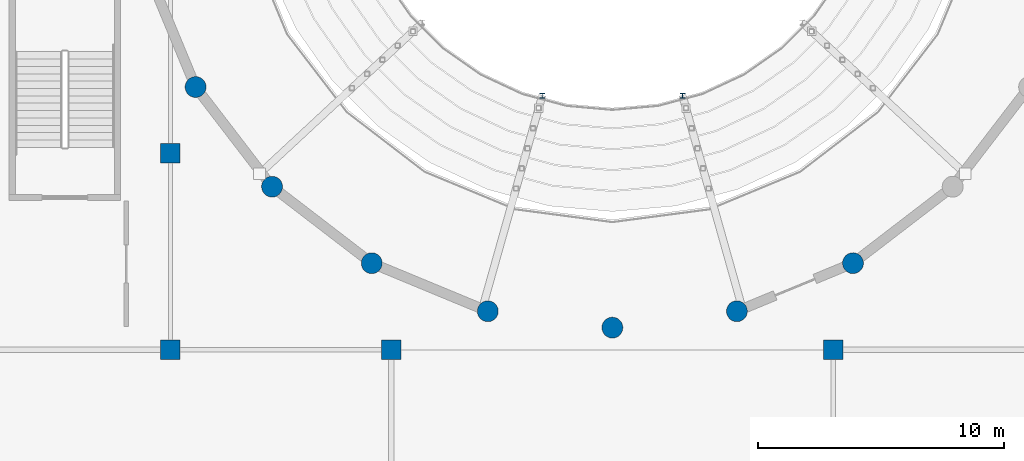
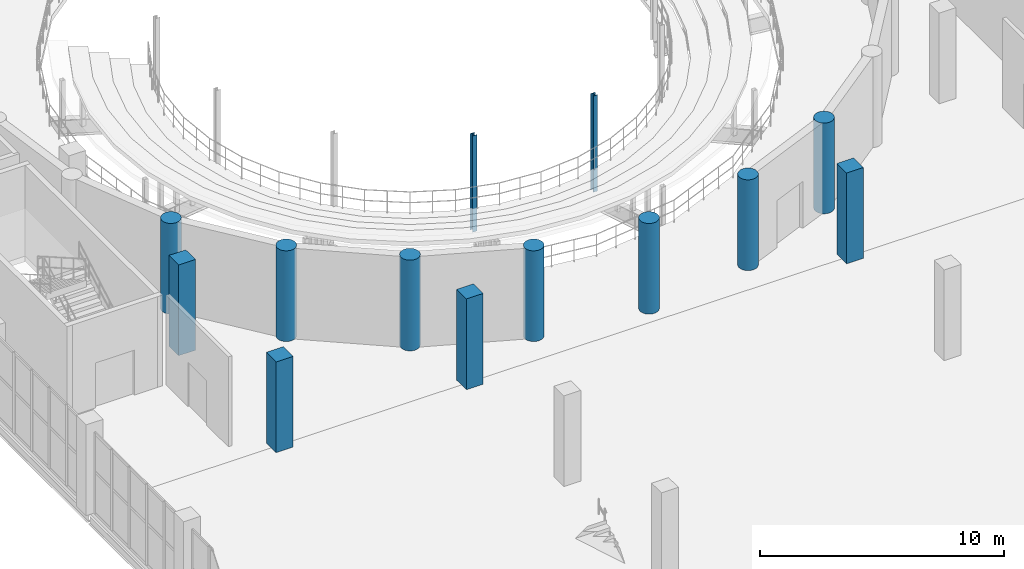
# One storey, part 9 of 93: 13 columns.
"""IFC4 building model written with IfcOpenShell, lengths in metres."""

from ifc_helpers import new_model, si_unit, direction, frame, origin, origin_2d, place, context, subcontext, project, spatial, rectangle, circle, i_section, extrude, material, material_profile, profile_set, type_object, element, save


model = new_model("IFC4")

# Units and contexts
model_context = context("Model", 3, precision=1e-05, world=origin(), true_north=direction((0.0, 1.0)))
body_context = subcontext(model_context, "Body", "Model", "MODEL_VIEW")
ifc_project = project(units=[si_unit("LENGTHUNIT", "METRE"), si_unit("AREAUNIT", "SQUARE_METRE"), si_unit("VOLUMEUNIT", "CUBIC_METRE"), si_unit("PLANEANGLEUNIT", "RADIAN"), si_unit("MASSUNIT", "GRAM", prefix="KILO")], contexts=[model_context])

# Site, building, storey
site_placement = place(None, origin())
site = spatial("IfcSite", under=ifc_project, at=site_placement, CompositionType="ELEMENT")
building_placement = place(site_placement, origin())
building = spatial("IfcBuilding", under=site, at=building_placement, Name="Marnock Terrace Opera House", CompositionType="ELEMENT")
storey_placement = place(building_placement, frame((0.0, 0.0, 5.39990234375)))
storey = spatial("IfcBuildingStorey", under=building, at=storey_placement, Name="L01", CompositionType="ELEMENT", Elevation=5.39990234375)

# Columns
ifc_material_1 = material(Name="Concrete N50 (f'c = 50 MPa)", Category="concrete")
ifc_material_profile_1 = material_profile(ifc_material_1, circle(Radius=0.425048828125, at=origin_2d()))
ifc_profile_set_1 = profile_set([ifc_material_profile_1], Name="Concrete N50 (f'c = 50 MPa)")
column_type_1 = type_object("IfcColumnType", Name="COL-DRUM-850", PredefinedType="COLUMN", material=ifc_profile_set_1)
for number, where, z_axis, x_axis, name in (
    (1, (65.02587890625, 50.699951171875, 0.0), (0.0, 0.0, 1.0), (1.0, 0.0, 0.0), "L01 auditorium drum pier 15"),
    (2, (68.14111328125, 46.64111328125, 0.0), (0.0, 0.0, 1.0), (1.0, 0.0, 0.0), "L01 auditorium drum pier 16"),
    (3, (72.199951171875, 43.52587890625, 0.0), (0.0, 0.0, 1.0), (1.0, 0.0, 0.0), "L01 auditorium drum pier 17"),
    (4, (76.927001953125, 41.568115234375, 0.0), (0.0, 0.0, 1.0), (1.0, 0.0, 0.0), "L01 auditorium drum pier 18"),
    (5, (82.0, 40.89990234375, 0.0), (0.0, 0.0, 1.0), (1.0, 0.0, 0.0), "L01 auditorium drum pier 19"),
    (6, (87.072998046875, 41.568115234375, 0.0), (0.0, 0.0, 1.0), (1.0, 0.0, 0.0), "L01 auditorium drum pier 20"),
    (7, (91.800048828125, 43.52587890625, 0.0), (0.0, 0.0, 1.0), (1.0, 0.0, 0.0), "L01 auditorium drum pier 21"),
):
    element("IfcColumn", number, at=place(storey_placement, frame(where, z_axis=z_axis, x_axis=x_axis)), inside=storey, type_object=column_type_1, Name=name, PredefinedType="COLUMN", context=body_context, shape_type="SweptSolid", body=[
        extrude(circle(Radius=0.425048828125, at=origin_2d()), origin(), (0.0, 0.0, 1.0), 4.5400390625),
    ])
ifc_material_profile_2 = material_profile(ifc_material_1, rectangle(XDim=0.800048828125, YDim=0.800048828125, at=origin_2d()))
ifc_profile_set_2 = profile_set([ifc_material_profile_2], Name="Concrete N50 (f'c = 50 MPa)")
column_type_2 = type_object("IfcColumnType", Name="COL-RC800", PredefinedType="COLUMN", material=ifc_profile_set_2)
for number, where, z_axis, x_axis, name in (
    (8, (64.0, 40.0, 0.0), (0.0, 0.0, 1.0), (1.0, 0.0, 0.0), "L01 column at (64.0, 40.0)"),
    (9, (64.0, 48.0, 0.0), (0.0, 0.0, 1.0), (1.0, 0.0, 0.0), "L01 column at (64.0, 48.0)"),
    (10, (73.0, 40.0, 0.0), (0.0, 0.0, 1.0), (1.0, 0.0, 0.0), "L01 column at (73.0, 40.0)"),
    (11, (91.0, 40.0, 0.0), (0.0, 0.0, 1.0), (1.0, 0.0, 0.0), "L01 column at (91.0, 40.0)"),
):
    element("IfcColumn", number, at=place(storey_placement, frame(where, z_axis=z_axis, x_axis=x_axis)), inside=storey, type_object=column_type_2, Name=name, PredefinedType="COLUMN", context=body_context, shape_type="SweptSolid", body=[
        extrude(rectangle(XDim=0.800048828125, YDim=0.800048828125, at=origin_2d()), origin(), (0.0, 0.0, 1.0), 4.5400390625),
    ])
ifc_material_2 = material(Name="Steel Grade 350 (AS/NZS 3679.1)", Category="steel")
ifc_material_profile_3 = material_profile(ifc_material_2, i_section(OverallWidth=0.205078125, OverallDepth=0.209716796875, WebThickness=0.00927734375, FlangeThickness=0.01416015625, FilletRadius=0.011474609375, at=origin_2d()))
ifc_profile_set_3 = profile_set([ifc_material_profile_3], Name="Steel Grade 350 (AS/NZS 3679.1)")
column_type_3 = type_object("IfcColumnType", Name="COL-UC200", PredefinedType="COLUMN", material=ifc_profile_set_3)
for number, where, z_axis, x_axis, name in (
    (12, (79.142578125, 50.34423828125, -0.829833984375), (0.0, 0.0, 1.0), (1.0, 0.0, 0.0), "L01 Auditorium balcony-front column 4"),
    (13, (84.857421875, 50.34423828125, -0.829833984375), (0.0, 0.0, 1.0), (1.0, 0.0, 0.0), "L01 Auditorium balcony-front column 5"),
):
    element("IfcColumn", number, at=place(storey_placement, frame(where, z_axis=z_axis, x_axis=x_axis)), inside=storey, type_object=column_type_3, Name=name, PredefinedType="COLUMN", context=body_context, shape_type="SweptSolid", body=[
        extrude(i_section(OverallWidth=0.205078125, OverallDepth=0.209716796875, WebThickness=0.00927734375, FlangeThickness=0.01416015625, FilletRadius=0.011474609375, at=origin_2d()), origin(), (0.0, 0.0, 1.0), 4.81982421875),
    ])

save(model, "model.ifc")
